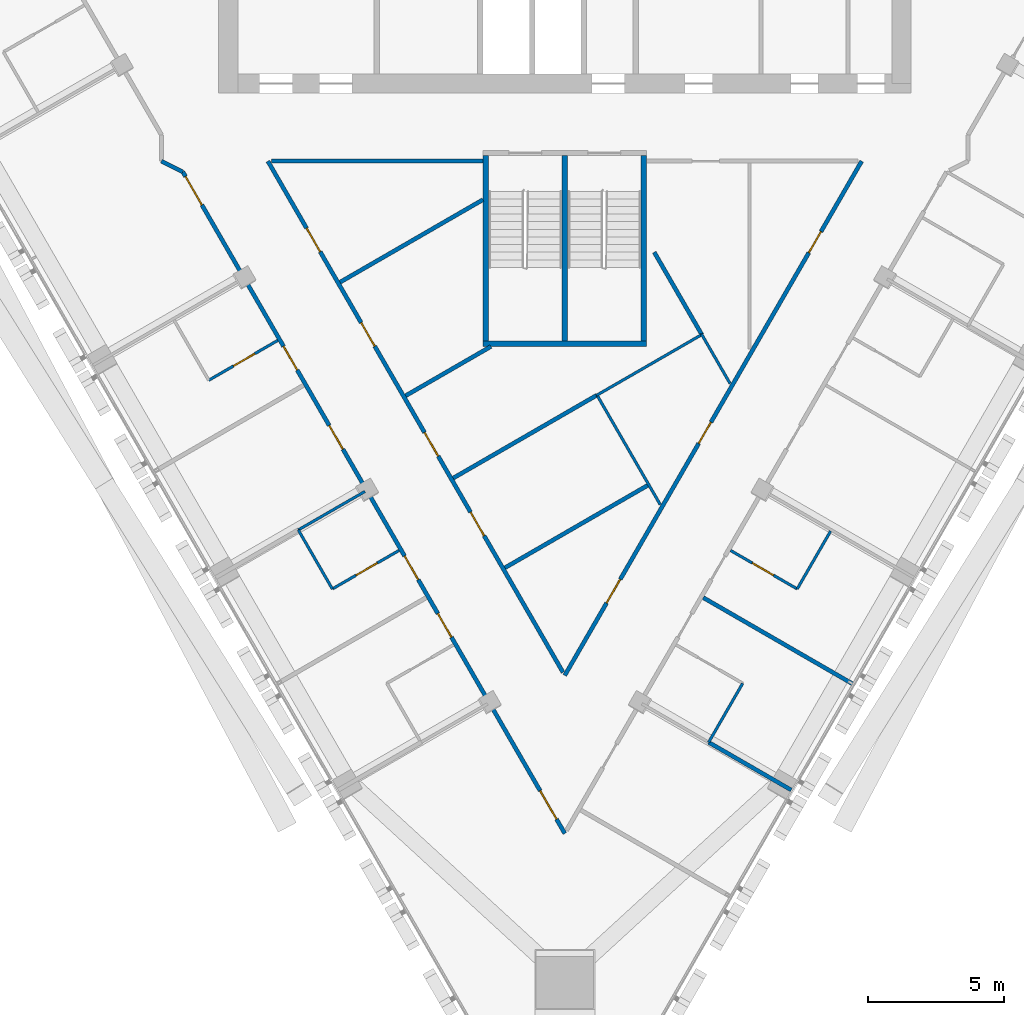
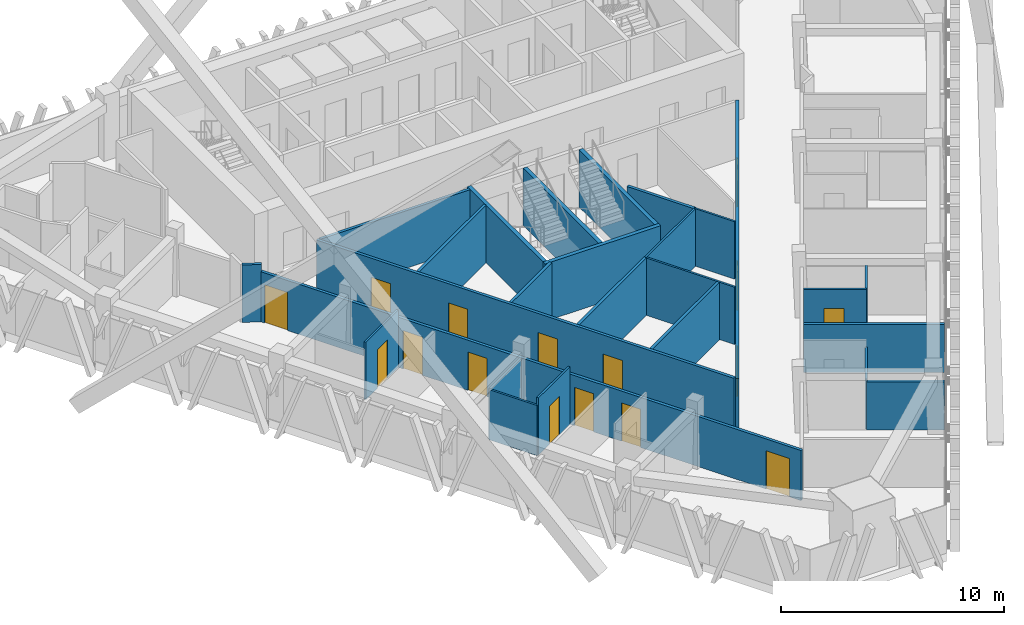
# One storey, part 11 of 18: 26 walls, 16 doors, 16 openings.
"""IFC4 building model written with IfcOpenShell, lengths in metres."""

import ifcopenshell
import ifcopenshell.guid

model = None  # the IFC model being written
_history = None  # IfcOwnerHistory: only IFC2X3 demands one
_inside = {}  # id of a spatial element -> (the spatial element, [elements in it])
_under = {}  # id of a project, library or spatial element -> (it, [spatial elements below it])
_declared = {}  # id of a project -> (the project, [libraries it declares])
_typed = {}  # id of a type object -> (the type object, [elements of that type])
_made_of = {}  # id of a material, layer set ... -> (it, [elements and type objects made of it])


def new_model(schema):
    """Start an empty IFC model of exactly this schema.

    Asked for "IFC4X3", IfcOpenShell would pick the latest addendum, in which some entities
    have other attributes; the version numbers below select the first issue.
    IFC2X3 requires an IfcOwnerHistory on every rooted entity: one is made here for all.
    """
    global model, _history
    if schema == "IFC4X3":
        model = ifcopenshell.file(schema_version=(4, 3, 0, 0))
    else:
        model = ifcopenshell.file(schema=schema)
    _inside.clear()
    _under.clear()
    _declared.clear()
    _typed.clear()
    _made_of.clear()
    _history = None
    if model.schema == "IFC2X3":
        org = make("IfcOrganization", Name="unknown")
        user = make(
            "IfcPersonAndOrganization",
            ThePerson=make("IfcPerson", FamilyName="unknown"),
            TheOrganization=org,
        )
        app = make(
            "IfcApplication",
            ApplicationDeveloper=org,
            Version="unknown",
            ApplicationFullName="unknown",
            ApplicationIdentifier="unknown",
        )
        _history = make(
            "IfcOwnerHistory",
            OwningUser=user,
            OwningApplication=app,
            ChangeAction="ADDED",
            CreationDate=0,
        )
    return model


def make(cls, **values):
    """One entity of the class cls with the attributes given. An attribute that is None is left unset."""
    return model.create_entity(
        cls, **{name: value for name, value in values.items() if value is not None}
    )


def rooted(cls, **values):
    """An entity with a GlobalId (a new one), such as an element, a storey or a relation."""
    return make(cls, GlobalId=ifcopenshell.guid.new(), OwnerHistory=_history, **values)


def si_unit(unit_type, name, prefix=None):
    """IfcSIUnit, for example si_unit("LENGTHUNIT", "METRE", prefix="MILLI")."""
    return make("IfcSIUnit", UnitType=unit_type, Prefix=prefix, Name=name)


def assignment(units):
    """IfcUnitAssignment: the units of a project."""
    return None if units is None else make("IfcUnitAssignment", Units=units)


def point(xyz):
    """IfcCartesianPoint."""
    return None if xyz is None else make("IfcCartesianPoint", Coordinates=xyz)


def direction(xyz):
    """IfcDirection."""
    return None if xyz is None else make("IfcDirection", DirectionRatios=xyz)


def frame(location, z_axis=None, x_axis=None):
    """IfcAxis2Placement3D, a coordinate frame: its origin and axes. An axis left out is left unset."""
    return make(
        "IfcAxis2Placement3D",
        Location=point(location),
        Axis=direction(z_axis),
        RefDirection=direction(x_axis),
    )


def frame_2d(location, x_axis=None):
    """IfcAxis2Placement2D, a coordinate frame in the plane: its origin and x axis."""
    return make(
        "IfcAxis2Placement2D", Location=point(location), RefDirection=direction(x_axis)
    )


def origin():
    """The frame at (0, 0, 0) with its axes left unset."""
    return frame((0.0, 0.0, 0.0))


def place(relative_to, where):
    """IfcLocalPlacement: puts the frame where relative to a parent placement (None: the world)."""
    return make(
        "IfcLocalPlacement", PlacementRelTo=relative_to, RelativePlacement=where
    )


def context(
    kind, dimensions, precision=None, world=None, true_north=None, identifier=None
):
    """IfcGeometricRepresentationContext, for example the 3D "Model" context."""
    return make(
        "IfcGeometricRepresentationContext",
        ContextIdentifier=identifier,
        ContextType=kind,
        CoordinateSpaceDimension=dimensions,
        Precision=precision,
        WorldCoordinateSystem=world,
        TrueNorth=true_north,
    )


def subcontext(parent, identifier, kind, view, scale=None):
    """IfcGeometricRepresentationSubContext, for example "Body" below "Model"."""
    return make(
        "IfcGeometricRepresentationSubContext",
        ContextIdentifier=identifier,
        ContextType=kind,
        ParentContext=parent,
        TargetScale=scale,
        TargetView=view,
    )


def project(units=None, contexts=None):
    """IfcProject with its units and contexts."""
    return rooted(
        "IfcProject",
        Name="project",
        RepresentationContexts=contexts,
        UnitsInContext=assignment(units),
    )


def spatial(cls, under=None, at=None, **own):
    """A site, building, storey or space (cls), placed at a placement, below another one or the project."""
    s = rooted(cls, ObjectPlacement=at, **own)
    if under is not None:
        _under.setdefault(under.id(), (under, []))[1].append(s)
    return s


def profile(cls, at=None, kind="AREA", **sizes):
    """A parametric profile (cls). Its sizes go by their IFC names, for example OverallWidth=200.0."""
    return make(cls, ProfileType=kind, Position=at, **sizes)


def rectangle(**sizes):
    """IfcRectangleProfileDef."""
    return profile("IfcRectangleProfileDef", **sizes)


def extrude(swept, where, along, depth):
    """IfcExtrudedAreaSolid: the profile swept, set in the frame where, extruded along a direction by depth."""
    return make(
        "IfcExtrudedAreaSolid",
        SweptArea=swept,
        Position=where,
        ExtrudedDirection=direction(along),
        Depth=depth,
    )


def shape(context_of_items, identifier, shape_type, items):
    """IfcShapeRepresentation: the items that make up one representation, for example the "Body"."""
    return make(
        "IfcShapeRepresentation",
        ContextOfItems=context_of_items,
        RepresentationIdentifier=identifier,
        RepresentationType=shape_type,
        Items=items,
    )


def material(Name=None, Category=None):
    """IfcMaterial."""
    return make("IfcMaterial", Name=Name, Category=Category)


def layer(
    of_material, thickness, ventilated=None, Name=None, Category=None, Priority=None
):
    """IfcMaterialLayer: one layer of a wall or slab, of a material (None: an air gap)."""
    return make(
        "IfcMaterialLayer",
        Material=of_material,
        LayerThickness=thickness,
        IsVentilated=ventilated,
        Name=Name,
        Category=Category,
        Priority=Priority,
    )


def layer_set(layers, Name=None):
    """IfcMaterialLayerSet."""
    return make("IfcMaterialLayerSet", MaterialLayers=layers, LayerSetName=Name)


def made_of(thing, what):
    """Note that an element or type object is made of a material, layer set ...; save() writes the relation."""
    if what is not None:
        _made_of.setdefault(what.id(), (what, []))[1].append(thing)
    return thing


def type_object(cls, material=None, **own):
    """A type object (cls), such as IfcWallType, which elements share."""
    return made_of(rooted(cls, **own), material)


def element(
    cls,
    number,
    at=None,
    inside=None,
    cuts=None,
    type_object=None,
    material=None,
    context=None,
    identifier="Body",
    shape_type=None,
    held_by="IfcProductDefinitionShape",
    body=None,
    shapes=None,
    **own,
):
    """One element of the class cls, such as IfcWall. Its Tag is "e" and its number.

    at: its placement. inside: the storey or other place that contains it. cuts: it is an
    opening in that element (IfcRelVoidsElement). A single representation is given by context,
    identifier, shape_type and body (its items); several are given by shapes. held_by: the class
    of the entity that holds the representations. save() writes the other relations.
    """
    e = rooted(cls, Tag="e%d" % number, ObjectPlacement=at, **own)
    if body is not None:
        shapes = [shape(context, identifier, shape_type, body)]
    if shapes is not None:
        e.Representation = make(held_by, Representations=shapes)
    if inside is not None:
        _inside.setdefault(inside.id(), (inside, []))[1].append(e)
    if cuts is not None:
        rooted(
            "IfcRelVoidsElement", RelatingBuildingElement=cuts, RelatedOpeningElement=e
        )
    if type_object is not None:
        _typed.setdefault(type_object.id(), (type_object, []))[1].append(e)
    return made_of(e, material)


def fill(opening, filler):
    """IfcRelFillsElement: the door or window that sits in an opening."""
    return rooted(
        "IfcRelFillsElement",
        RelatingOpeningElement=opening,
        RelatedBuildingElement=filler,
    )


def aggregate(whole, parts):
    """IfcRelAggregates: a whole, such as a stair, and the parts it consists of."""
    return rooted("IfcRelAggregates", RelatingObject=whole, RelatedObjects=parts)


def save(model, path):
    """Write the relations noted so far, then the file.

    IfcRelAggregates (storeys below a building ...), IfcRelContainedInSpatialStructure (elements
    in a storey), IfcRelDefinesByType, IfcRelAssociatesMaterial and IfcRelDeclares: one each for
    every whole, place, type object, material and project.
    """
    for whole, parts in _under.values():
        aggregate(whole, parts)
    for where, things in _inside.values():
        rooted(
            "IfcRelContainedInSpatialStructure",
            RelatedElements=things,
            RelatingStructure=where,
        )
    for kind, things in _typed.values():
        rooted("IfcRelDefinesByType", RelatedObjects=things, RelatingType=kind)
    for what, things in _made_of.values():
        rooted("IfcRelAssociatesMaterial", RelatedObjects=things, RelatingMaterial=what)
    for by, libraries in _declared.values():
        rooted("IfcRelDeclares", RelatingContext=by, RelatedDefinitions=libraries)
    model.write(path)


model = new_model("IFC4")

# Units and contexts
model_context = context("Model", 3, precision=1e-05, world=origin(), true_north=direction((0.0, 1.0)))
body_context = subcontext(model_context, "Body", "Model", "MODEL_VIEW")
ifc_project = project(units=[si_unit("LENGTHUNIT", "METRE"), si_unit("AREAUNIT", "SQUARE_METRE"), si_unit("VOLUMEUNIT", "CUBIC_METRE"), si_unit("PLANEANGLEUNIT", "RADIAN"), si_unit("MASSUNIT", "GRAM", prefix="KILO")], contexts=[model_context])

# Site, building, storey
site_placement = place(None, origin())
site = spatial("IfcSite", under=ifc_project, at=site_placement, CompositionType="ELEMENT")
building_placement = place(site_placement, origin())
building = spatial("IfcBuilding", under=site, at=building_placement, Name="Altiplano Prism Tower", CompositionType="ELEMENT")
storey_placement = place(building_placement, frame((0.0, 0.0, 163.800048828125)))
storey = spatial("IfcBuildingStorey", under=building, at=storey_placement, Name="L42", CompositionType="ELEMENT", Elevation=163.800048828125)

# Wall, opening, door
ifc_material_1 = material(Name="Plasterboard on steel stud", Category="steel")
ifc_layer_1 = layer(ifc_material_1, 0.10009765625)
ifc_layer_set_1 = layer_set([ifc_layer_1], Name="Plasterboard on steel stud")
wall_type_1 = type_object("IfcWallType", Name="Partition 100 unit", PredefinedType="PARTITIONING", material=ifc_layer_set_1)
wall_1_placement = place(storey_placement, frame((74.46728515625, 83.622802734375, 0.0), z_axis=(0.0, 0.0, 1.0), x_axis=(-0.86601045545, -0.500025890382, 0.0)))
wall_1 = element("IfcWall", 1, at=wall_1_placement, inside=storey, type_object=wall_type_1, Name="Partition P02 L42 049", PredefinedType="PARTITIONING", context=body_context, shape_type="SweptSolid", body=[
    extrude(rectangle(XDim=2.925048828125, YDim=0.10009765625, at=frame_2d((1.46240234375, 0.0))), origin(), (0.0, 0.0, 1.0), 3.14990234375),
])
opening_1_placement = place(wall_1_placement, frame((0.97509765625, 0.0, 0.0)))
opening_1 = element("IfcOpeningElement", 2, at=opening_1_placement, cuts=wall_1, Name="Opening D1484", PredefinedType="OPENING", context=body_context, shape_type="SweptSolid", body=[
    extrude(rectangle(XDim=0.89990234375, YDim=2.10009765625, at=frame_2d((0.449951171875, 1.050048828125))), frame((0.0, 0.060546875, 0.0), z_axis=(0.0, -1.0, 0.0), x_axis=(1.0, 0.0, 0.0)), (0.0, 0.0, 1.0), 0.12109375),
])
ifc_material_2 = material(Name="Timber", Category="wood")
door_type_1 = type_object("IfcDoorType", Name="Ensuite door 900 x 2100", OperationType="NOTDEFINED", PredefinedType="NOTDEFINED", material=ifc_material_2)
door_1_placement = place(opening_1_placement, origin())
door_1 = element("IfcDoor", 3, at=door_1_placement, inside=storey, type_object=door_type_1, Name="Door D1484", OperationType="SINGLE_SWING_LEFT", OverallHeight=2.10009765625, OverallWidth=0.89990234375, PredefinedType="NOTDEFINED", context=body_context, shape_type="SweptSolid", body=[
    extrude(rectangle(XDim=0.89990234375, YDim=2.10009765625, at=frame_2d((0.449951171875, 1.050048828125))), frame((0.0, 0.02490234375, 0.0), z_axis=(0.0, -1.0, 0.0), x_axis=(1.0, 0.0, 0.0)), (0.0, 0.0, 1.0), 0.050048828125),
])
fill(opening_1, door_1)

wall_2_placement = place(storey_placement, frame((78.917236328125, 75.9150390625, 0.0), z_axis=(0.0, 0.0, 1.0), x_axis=(-0.866048868473, -0.499959355765, 0.0)))
wall_2 = element("IfcWall", 4, at=wall_2_placement, inside=storey, type_object=wall_type_1, Name="Partition P02 L42 054", PredefinedType="PARTITIONING", context=body_context, shape_type="SweptSolid", body=[
    extrude(rectangle(XDim=2.824951171875, YDim=0.10009765625, at=frame_2d((1.41259765625, 0.0))), origin(), (0.0, 0.0, 1.0), 3.14990234375),
])
opening_2_placement = place(wall_2_placement, frame((0.925048828125, 0.0, 0.0)))
opening_2 = element("IfcOpeningElement", 5, at=opening_2_placement, cuts=wall_2, Name="Opening D1487", PredefinedType="OPENING", context=body_context, shape_type="SweptSolid", body=[
    extrude(rectangle(XDim=0.89990234375, YDim=2.10009765625, at=frame_2d((0.449951171875, 1.050048828125))), frame((0.0, 0.060546875, 0.0), z_axis=(0.0, -1.0, 0.0), x_axis=(1.0, 0.0, 0.0)), (0.0, 0.0, 1.0), 0.12109375),
])
door_2_placement = place(opening_2_placement, origin())
door_2 = element("IfcDoor", 6, at=door_2_placement, inside=storey, type_object=door_type_1, Name="Door D1487", OperationType="SINGLE_SWING_LEFT", OverallHeight=2.10009765625, OverallWidth=0.89990234375, PredefinedType="NOTDEFINED", context=body_context, shape_type="SweptSolid", body=[
    extrude(rectangle(XDim=0.89990234375, YDim=2.10009765625, at=frame_2d((0.449951171875, 1.050048828125))), frame((0.0, 0.02490234375, 0.0), z_axis=(0.0, -1.0, 0.0), x_axis=(1.0, 0.0, 0.0)), (0.0, 0.0, 1.0), 0.050048828125),
])
fill(opening_2, door_2)

# Walls
wall_3_placement = place(storey_placement, frame((76.470703125, 74.502685546875, 0.0), z_axis=(0.0, 0.0, 1.0), x_axis=(-0.500004234368, 0.866022959057, 0.0)))
element("IfcWall", 7, at=wall_3_placement, inside=storey, type_object=wall_type_1, Name="Partition P02 L42 055", PredefinedType="PARTITIONING", context=body_context, shape_type="SweptSolid", body=[
    extrude(rectangle(XDim=2.5, YDim=0.10009765625, at=frame_2d((1.25, 0.0))), origin(), (0.0, 0.0, 1.0), 2.75),
])
wall_4_placement = place(storey_placement, frame((91.529296875, 71.03857421875, 0.0), z_axis=(0.0, 0.0, 1.0), x_axis=(-0.499961950354, -0.866047370643, 0.0)))
element("IfcWall", 8, at=wall_4_placement, inside=storey, type_object=wall_type_1, Name="Partition P02 L42 065", PredefinedType="PARTITIONING", context=body_context, shape_type="SweptSolid", body=[
    extrude(rectangle(XDim=2.500244140625, YDim=0.10009765625, at=frame_2d((1.25, 0.0))), origin(), (0.0, 0.0, 1.0), 2.75),
])
wall_5_placement = place(storey_placement, frame((94.754150390625, 76.624267578125, 0.0), z_axis=(0.0, 0.0, 1.0), x_axis=(-0.499987006516, -0.866032905446, 0.0)))
element("IfcWall", 9, at=wall_5_placement, inside=storey, type_object=wall_type_1, Name="Partition P02 L42 067", PredefinedType="PARTITIONING", context=body_context, shape_type="SweptSolid", body=[
    extrude(rectangle(XDim=2.44970703125, YDim=0.10009765625, at=frame_2d((1.224853515625, 0.0))), origin(), (0.0, 0.0, 1.0), 2.75),
])

# Wall, opening, door
wall_6_placement = place(storey_placement, frame((93.529296875, 74.502685546875, 0.0), z_axis=(0.0, 0.0, 1.0), x_axis=(-0.866048868473, 0.499959355765, 0.0)))
wall_6 = element("IfcWall", 10, at=wall_6_placement, inside=storey, type_object=wall_type_1, Name="Partition P02 L42 068", PredefinedType="PARTITIONING", context=body_context, shape_type="SweptSolid", body=[
    extrude(rectangle(XDim=2.824951171875, YDim=0.10009765625, at=frame_2d((1.41259765625, 0.0))), origin(), (0.0, 0.0, 1.0), 3.14990234375),
])
opening_3_placement = place(wall_6_placement, frame((1.0, 0.0, 0.0)))
opening_3 = element("IfcOpeningElement", 11, at=opening_3_placement, cuts=wall_6, Name="Opening D1495", PredefinedType="OPENING", context=body_context, shape_type="SweptSolid", body=[
    extrude(rectangle(XDim=0.89990234375, YDim=2.10009765625, at=frame_2d((0.449951171875, 1.050048828125))), frame((0.0, 0.060546875, 0.0), z_axis=(0.0, -1.0, 0.0), x_axis=(1.0, 0.0, 0.0)), (0.0, 0.0, 1.0), 0.12109375),
])
door_3_placement = place(opening_3_placement, origin())
door_3 = element("IfcDoor", 12, at=door_3_placement, inside=storey, type_object=door_type_1, Name="Door D1495", OperationType="SINGLE_SWING_LEFT", OverallHeight=2.10009765625, OverallWidth=0.89990234375, PredefinedType="NOTDEFINED", context=body_context, shape_type="SweptSolid", body=[
    extrude(rectangle(XDim=0.89990234375, YDim=2.10009765625, at=frame_2d((0.449951171875, 1.050048828125))), frame((0.0, 0.02490234375, 0.0), z_axis=(0.0, -1.0, 0.0), x_axis=(1.0, 0.0, 0.0)), (0.0, 0.0, 1.0), 0.050048828125),
])
fill(opening_3, door_3)

# Walls
ifc_layer_2 = layer(ifc_material_1, 0.10009765625)
ifc_layer_set_2 = layer_set([ifc_layer_2], Name="Plasterboard on steel stud")
wall_type_2 = type_object("IfcWallType", Name="Partition 100 wet", PredefinedType="PARTITIONING", material=ifc_layer_set_2)
wall_7_placement = place(storey_placement, frame((91.067138671875, 82.0380859375, 0.0), z_axis=(0.0, 0.0, 1.0), x_axis=(-0.500058390236, 0.865991689541, 0.0)))
element("IfcWall", 13, at=wall_7_placement, inside=storey, type_object=wall_type_2, Name="Partition P03 L42 036", PredefinedType="PARTITIONING", context=body_context, shape_type="SweptSolid", body=[
    extrude(rectangle(XDim=2.096923828125, YDim=0.10009765625, at=frame_2d((1.04833984375, 0.0))), origin(), (0.0, 0.0, 1.0), 3.14990234375),
])
wall_8_placement = place(storey_placement, frame((90.028564453125, 83.836669921875, 0.0), z_axis=(0.0, 0.0, 1.0), x_axis=(-0.866011499294, -0.50002408251, 0.0)))
element("IfcWall", 14, at=wall_8_placement, inside=storey, type_object=wall_type_2, Name="Partition P03 L42 037", PredefinedType="PARTITIONING", context=body_context, shape_type="SweptSolid", body=[
    extrude(rectangle(XDim=4.460693359375, YDim=0.10009765625, at=frame_2d((2.23046875, 0.0))), origin(), (0.0, 0.0, 1.0), 3.14990234375),
])
wall_9_placement = place(storey_placement, frame((86.182861328125, 81.6162109375, 0.0), z_axis=(0.0, 0.0, 1.0), x_axis=(0.500009360108, -0.866019999656, 0.0)))
element("IfcWall", 15, at=wall_9_placement, inside=storey, type_object=wall_type_2, Name="Partition P03 L42 038", PredefinedType="PARTITIONING", context=body_context, shape_type="SweptSolid", body=[
    extrude(rectangle(XDim=4.640625, YDim=0.10009765625, at=frame_2d((2.3203125, 0.0))), origin(), (0.0, 0.0, 1.0), 3.14990234375),
])
wall_10_placement = place(storey_placement, frame((75.220703125, 76.667724609375, 0.0), z_axis=(0.0, 0.0, 1.0), x_axis=(0.866048868473, 0.499959355765, 0.0)))
element("IfcWall", 16, at=wall_10_placement, inside=storey, type_object=wall_type_2, Name="Partition P03 L42 053", PredefinedType="PARTITIONING", context=body_context, shape_type="SweptSolid", body=[
    extrude(rectangle(XDim=2.824951171875, YDim=0.10009765625, at=frame_2d((1.41259765625, 0.0))), origin(), (0.0, 0.0, 1.0), 2.75),
])

# Wall, openings, doors
ifc_layer_3 = layer(ifc_material_1, 0.14990234375)
ifc_layer_set_3 = layer_set([ifc_layer_3], Name="Plasterboard on steel stud")
wall_type_3 = type_object("IfcWallType", Name="Partition 150 corridor", PredefinedType="PARTITIONING", material=ifc_layer_set_3)
wall_11_placement = place(storey_placement, frame((95.894775390625, 90.199951171875, 0.0), z_axis=(0.0, 0.0, 1.0), x_axis=(-0.499998870956, -0.866026055637, 0.0)))
wall_11 = element("IfcWall", 17, at=wall_11_placement, inside=storey, type_object=wall_type_3, Name="Partition P06 L42 002", PredefinedType="PARTITIONING", context=body_context, shape_type="SweptSolid", body=[
    extrude(rectangle(XDim=21.78955078125, YDim=0.14990234375, at=frame_2d((10.894775390625, 0.0))), origin(), (0.0, 0.0, 1.0), 3.14990234375),
])
opening_4_placement = place(wall_11_placement, frame((2.98193359375, 0.0, 0.0)))
opening_4 = element("IfcOpeningElement", 18, at=opening_4_placement, cuts=wall_11, Name="Opening D1473", PredefinedType="OPENING", context=body_context, shape_type="SweptSolid", body=[
    extrude(rectangle(XDim=0.89990234375, YDim=2.10009765625, at=frame_2d((0.449951171875, 1.050048828125))), frame((0.0, 0.08544921875, 0.0), z_axis=(0.0, -1.0, 0.0), x_axis=(1.0, 0.0, 0.0)), (0.0, 0.0, 1.0), 0.1708984375),
])
opening_5_placement = place(wall_11_placement, frame((11.06103515625, 0.0, 0.0)))
opening_5 = element("IfcOpeningElement", 19, at=opening_5_placement, cuts=wall_11, Name="Opening D1474", PredefinedType="OPENING", context=body_context, shape_type="SweptSolid", body=[
    extrude(rectangle(XDim=0.89990234375, YDim=2.10009765625, at=frame_2d((0.449951171875, 1.050048828125))), frame((0.0, 0.08544921875, 0.0), z_axis=(0.0, -1.0, 0.0), x_axis=(1.0, 0.0, 0.0)), (0.0, 0.0, 1.0), 0.1708984375),
])
opening_6_placement = place(wall_11_placement, frame((17.719970703125, 0.0, 0.0)))
opening_6 = element("IfcOpeningElement", 20, at=opening_6_placement, cuts=wall_11, Name="Opening D1475", PredefinedType="OPENING", context=body_context, shape_type="SweptSolid", body=[
    extrude(rectangle(XDim=1.0, YDim=2.10009765625, at=frame_2d((0.5, 1.050048828125))), frame((0.0, 0.08544921875, 0.0), z_axis=(0.0, -1.0, 0.0), x_axis=(1.0, 0.0, 0.0)), (0.0, 0.0, 1.0), 0.1708984375),
])
door_type_2 = type_object("IfcDoorType", Name="Store door 1000 x 2100", OperationType="NOTDEFINED", PredefinedType="NOTDEFINED", material=ifc_material_2)
door_4_placement = place(opening_6_placement, origin())
door_4 = element("IfcDoor", 21, at=door_4_placement, inside=storey, type_object=door_type_2, Name="Door D1475", OperationType="SINGLE_SWING_RIGHT", OverallHeight=2.10009765625, OverallWidth=1.0, PredefinedType="NOTDEFINED", context=body_context, shape_type="SweptSolid", body=[
    extrude(rectangle(XDim=1.0, YDim=2.10009765625, at=frame_2d((0.5, 1.050048828125))), frame((0.0, 0.02490234375, 0.0), z_axis=(0.0, -1.0, 0.0), x_axis=(1.0, 0.0, 0.0)), (0.0, 0.0, 1.0), 0.050048828125),
])
fill(opening_6, door_4)
door_type_3 = type_object("IfcDoorType", Name="Toilet door 900 x 2100", OperationType="NOTDEFINED", PredefinedType="NOTDEFINED", material=ifc_material_2)
door_5_placement = place(opening_4_placement, origin())
door_5 = element("IfcDoor", 22, at=door_5_placement, inside=storey, type_object=door_type_3, Name="Door D1473", OperationType="SINGLE_SWING_LEFT", OverallHeight=2.10009765625, OverallWidth=0.89990234375, PredefinedType="NOTDEFINED", context=body_context, shape_type="SweptSolid", body=[
    extrude(rectangle(XDim=0.89990234375, YDim=2.10009765625, at=frame_2d((0.449951171875, 1.050048828125))), frame((0.0, 0.02490234375, 0.0), z_axis=(0.0, -1.0, 0.0), x_axis=(1.0, 0.0, 0.0)), (0.0, 0.0, 1.0), 0.050048828125),
])
fill(opening_4, door_5)
door_6_placement = place(opening_5_placement, origin())
door_6 = element("IfcDoor", 23, at=door_6_placement, inside=storey, type_object=door_type_3, Name="Door D1474", OperationType="SINGLE_SWING_RIGHT", OverallHeight=2.10009765625, OverallWidth=0.89990234375, PredefinedType="NOTDEFINED", context=body_context, shape_type="SweptSolid", body=[
    extrude(rectangle(XDim=0.89990234375, YDim=2.10009765625, at=frame_2d((0.449951171875, 1.050048828125))), frame((0.0, 0.02490234375, 0.0), z_axis=(0.0, -1.0, 0.0), x_axis=(1.0, 0.0, 0.0)), (0.0, 0.0, 1.0), 0.050048828125),
])
fill(opening_5, door_6)

wall_12_placement = place(storey_placement, frame((84.93505859375, 71.44189453125, 0.0), z_axis=(0.0, 0.0, 1.0), x_axis=(-0.499995323145, 0.866028103951, 0.0)))
wall_12 = element("IfcWall", 24, at=wall_12_placement, inside=storey, type_object=wall_type_3, Name="Partition P06 L42 003", PredefinedType="PARTITIONING", context=body_context, shape_type="SweptSolid", body=[
    extrude(rectangle(XDim=21.659912109375, YDim=0.14990234375, at=frame_2d((10.830078125, 0.0))), origin(), (0.0, 0.0, 1.0), 3.14990234375),
])
opening_7_placement = place(wall_12_placement, frame((17.819091796875, 0.0, 0.0)))
opening_7 = element("IfcOpeningElement", 25, at=opening_7_placement, cuts=wall_12, Name="Opening D1476", PredefinedType="OPENING", context=body_context, shape_type="SweptSolid", body=[
    extrude(rectangle(XDim=1.0, YDim=2.10009765625, at=frame_2d((0.5, 1.050048828125))), frame((0.0, 0.08544921875, 0.0), z_axis=(0.0, -1.0, 0.0), x_axis=(1.0, 0.0, 0.0)), (0.0, 0.0, 1.0), 0.1708984375),
])
opening_8_placement = place(wall_12_placement, frame((13.81689453125, 0.0, 0.0)))
opening_8 = element("IfcOpeningElement", 26, at=opening_8_placement, cuts=wall_12, Name="Opening D1478", PredefinedType="OPENING", context=body_context, shape_type="SweptSolid", body=[
    extrude(rectangle(XDim=1.0, YDim=2.10009765625, at=frame_2d((0.5, 1.050048828125))), frame((0.0, 0.08544921875, 0.0), z_axis=(0.0, -1.0, 0.0), x_axis=(1.0, 0.0, 0.0)), (0.0, 0.0, 1.0), 0.1708984375),
])
opening_9_placement = place(wall_12_placement, frame((9.162109375, 0.0, 0.0)))
opening_9 = element("IfcOpeningElement", 27, at=opening_9_placement, cuts=wall_12, Name="Opening D1505", PredefinedType="OPENING", context=body_context, shape_type="SweptSolid", body=[
    extrude(rectangle(XDim=1.0, YDim=2.10009765625, at=frame_2d((0.5, 1.050048828125))), frame((0.0, 0.08544921875, 0.0), z_axis=(0.0, -1.0, 0.0), x_axis=(1.0, 0.0, 0.0)), (0.0, 0.0, 1.0), 0.1708984375),
])
opening_10_placement = place(wall_12_placement, frame((5.7880859375, 0.0, 0.0)))
opening_10 = element("IfcOpeningElement", 28, at=opening_10_placement, cuts=wall_12, Name="Opening D1506", PredefinedType="OPENING", context=body_context, shape_type="SweptSolid", body=[
    extrude(rectangle(XDim=1.0, YDim=2.10009765625, at=frame_2d((0.5, 1.050048828125))), frame((0.0, 0.08544921875, 0.0), z_axis=(0.0, -1.0, 0.0), x_axis=(1.0, 0.0, 0.0)), (0.0, 0.0, 1.0), 0.1708984375),
])
door_type_4 = type_object("IfcDoorType", Name="Room door 1000 x 2100", OperationType="NOTDEFINED", PredefinedType="NOTDEFINED", material=ifc_material_2)
door_7_placement = place(opening_9_placement, origin())
door_7 = element("IfcDoor", 29, at=door_7_placement, inside=storey, type_object=door_type_4, Name="Door D1505", OperationType="SINGLE_SWING_LEFT", OverallHeight=2.10009765625, OverallWidth=1.0, PredefinedType="NOTDEFINED", context=body_context, shape_type="SweptSolid", body=[
    extrude(rectangle(XDim=1.0, YDim=2.10009765625, at=frame_2d((0.5, 1.050048828125))), frame((0.0, 0.02490234375, 0.0), z_axis=(0.0, -1.0, 0.0), x_axis=(1.0, 0.0, 0.0)), (0.0, 0.0, 1.0), 0.050048828125),
])
fill(opening_9, door_7)
door_8_placement = place(opening_10_placement, origin())
door_8 = element("IfcDoor", 30, at=door_8_placement, inside=storey, type_object=door_type_4, Name="Door D1506", OperationType="SINGLE_SWING_RIGHT", OverallHeight=2.10009765625, OverallWidth=1.0, PredefinedType="NOTDEFINED", context=body_context, shape_type="SweptSolid", body=[
    extrude(rectangle(XDim=1.0, YDim=2.10009765625, at=frame_2d((0.5, 1.050048828125))), frame((0.0, 0.02490234375, 0.0), z_axis=(0.0, -1.0, 0.0), x_axis=(1.0, 0.0, 0.0)), (0.0, 0.0, 1.0), 0.050048828125),
])
fill(opening_10, door_8)
door_9_placement = place(opening_7_placement, origin())
door_9 = element("IfcDoor", 31, at=door_9_placement, inside=storey, type_object=door_type_2, Name="Door D1476", OperationType="SINGLE_SWING_LEFT", OverallHeight=2.10009765625, OverallWidth=1.0, PredefinedType="NOTDEFINED", context=body_context, shape_type="SweptSolid", body=[
    extrude(rectangle(XDim=1.0, YDim=2.10009765625, at=frame_2d((0.5, 1.050048828125))), frame((0.0, 0.02490234375, 0.0), z_axis=(0.0, -1.0, 0.0), x_axis=(1.0, 0.0, 0.0)), (0.0, 0.0, 1.0), 0.050048828125),
])
fill(opening_7, door_9)
door_10_placement = place(opening_8_placement, origin())
door_10 = element("IfcDoor", 32, at=door_10_placement, inside=storey, type_object=door_type_2, Name="Door D1478", OperationType="SINGLE_SWING_RIGHT", OverallHeight=2.10009765625, OverallWidth=1.0, PredefinedType="NOTDEFINED", context=body_context, shape_type="SweptSolid", body=[
    extrude(rectangle(XDim=1.0, YDim=2.10009765625, at=frame_2d((0.5, 1.050048828125))), frame((0.0, 0.02490234375, 0.0), z_axis=(0.0, -1.0, 0.0), x_axis=(1.0, 0.0, 0.0)), (0.0, 0.0, 1.0), 0.050048828125),
])
fill(opening_8, door_10)

# Walls
wall_13_placement = place(storey_placement, frame((74.235107421875, 90.199951171875, 0.0), z_axis=(0.0, 0.0, 1.0), x_axis=(1.0, 0.0, 0.0)))
element("IfcWall", 33, at=wall_13_placement, inside=storey, type_object=wall_type_3, Name="Partition P06 L42 004", PredefinedType="PARTITIONING", context=body_context, shape_type="SweptSolid", body=[
    extrude(rectangle(XDim=7.764892578125, YDim=0.14990234375, at=frame_2d((3.88232421875, 0.0))), origin(), (0.0, 0.0, 1.0), 3.14990234375),
])
wall_14_placement = place(storey_placement, frame((70.199951171875, 90.199951171875, 0.0), z_axis=(0.0, 0.0, 1.0), x_axis=(0.89453884087, -0.44699022604, 0.0)))
element("IfcWall", 34, at=wall_14_placement, inside=storey, type_object=wall_type_3, Name="Partition P06 L42 011", PredefinedType="PARTITIONING", context=body_context, shape_type="SweptSolid", body=[
    extrude(rectangle(XDim=0.87451171875, YDim=0.14990234375, at=frame_2d((0.437255859375, 0.0))), origin(), (0.0, 0.0, 1.0), 3.14990234375),
])

# Wall, openings, doors
wall_15_placement = place(storey_placement, frame((70.982177734375, 89.80908203125, 0.0), z_axis=(0.0, 0.0, 1.0), x_axis=(0.500000607917, -0.866025052803, 0.0)))
wall_15 = element("IfcWall", 35, at=wall_15_placement, inside=storey, type_object=wall_type_3, Name="Partition P06 L42 012", PredefinedType="PARTITIONING", context=body_context, shape_type="SweptSolid", body=[
    extrude(rectangle(XDim=28.03564453125, YDim=0.14990234375, at=frame_2d((14.017822265625, 0.0))), origin(), (0.0, 0.0, 1.0), 2.75),
])
opening_11_placement = place(wall_15_placement, frame((0.199951171875, 0.0, 0.0)))
opening_11 = element("IfcOpeningElement", 36, at=opening_11_placement, cuts=wall_15, Name="Opening D1482", PredefinedType="OPENING", context=body_context, shape_type="SweptSolid", body=[
    extrude(rectangle(XDim=1.199951171875, YDim=2.10009765625, at=frame_2d((0.60009765625, 1.050048828125))), frame((0.0, 0.08544921875, 0.0), z_axis=(0.0, -1.0, 0.0), x_axis=(1.0, 0.0, 0.0)), (0.0, 0.0, 1.0), 0.1708984375),
])
opening_12_placement = place(wall_15_placement, frame((7.39501953125, 0.0, 0.0)))
opening_12 = element("IfcOpeningElement", 37, at=opening_12_placement, cuts=wall_15, Name="Opening D1483", PredefinedType="OPENING", context=body_context, shape_type="SweptSolid", body=[
    extrude(rectangle(XDim=1.0, YDim=2.10009765625, at=frame_2d((0.5, 1.050048828125))), frame((0.0, 0.08544921875, 0.0), z_axis=(0.0, -1.0, 0.0), x_axis=(1.0, 0.0, 0.0)), (0.0, 0.0, 1.0), 0.1708984375),
])
opening_13_placement = place(wall_15_placement, frame((10.75, 0.0, 0.0)))
opening_13 = element("IfcOpeningElement", 38, at=opening_13_placement, cuts=wall_15, Name="Opening D1485", PredefinedType="OPENING", context=body_context, shape_type="SweptSolid", body=[
    extrude(rectangle(XDim=1.0, YDim=2.10009765625, at=frame_2d((0.5, 1.050048828125))), frame((0.0, 0.08544921875, 0.0), z_axis=(0.0, -1.0, 0.0), x_axis=(1.0, 0.0, 0.0)), (0.0, 0.0, 1.0), 0.1708984375),
])
opening_14_placement = place(wall_15_placement, frame((16.280029296875, 0.0, 0.0)))
opening_14 = element("IfcOpeningElement", 39, at=opening_14_placement, cuts=wall_15, Name="Opening D1486", PredefinedType="OPENING", context=body_context, shape_type="SweptSolid", body=[
    extrude(rectangle(XDim=1.0, YDim=2.10009765625, at=frame_2d((0.5, 1.050048828125))), frame((0.0, 0.08544921875, 0.0), z_axis=(0.0, -1.0, 0.0), x_axis=(1.0, 0.0, 0.0)), (0.0, 0.0, 1.0), 0.1708984375),
])
opening_15_placement = place(wall_15_placement, frame((18.719970703125, 0.0, 0.0)))
opening_15 = element("IfcOpeningElement", 40, at=opening_15_placement, cuts=wall_15, Name="Opening D1488", PredefinedType="OPENING", context=body_context, shape_type="SweptSolid", body=[
    extrude(rectangle(XDim=1.0, YDim=2.10009765625, at=frame_2d((0.5, 1.050048828125))), frame((0.0, 0.08544921875, 0.0), z_axis=(0.0, -1.0, 0.0), x_axis=(1.0, 0.0, 0.0)), (0.0, 0.0, 1.0), 0.1708984375),
])
opening_16_placement = place(wall_15_placement, frame((26.22802734375, 0.0, 0.0)))
opening_16 = element("IfcOpeningElement", 41, at=opening_16_placement, cuts=wall_15, Name="Opening D1490", PredefinedType="OPENING", context=body_context, shape_type="SweptSolid", body=[
    extrude(rectangle(XDim=1.199951171875, YDim=2.10009765625, at=frame_2d((0.60009765625, 1.050048828125))), frame((0.0, 0.08544921875, 0.0), z_axis=(0.0, -1.0, 0.0), x_axis=(1.0, 0.0, 0.0)), (0.0, 0.0, 1.0), 0.1708984375),
])
door_type_5 = type_object("IfcDoorType", Name="Bedroom entrance door 1000 x 2100", OperationType="NOTDEFINED", PredefinedType="NOTDEFINED", material=ifc_material_2)
door_11_placement = place(opening_12_placement, origin())
door_11 = element("IfcDoor", 42, at=door_11_placement, inside=storey, type_object=door_type_5, Name="Door D1483", OperationType="SINGLE_SWING_LEFT", OverallHeight=2.10009765625, OverallWidth=1.0, PredefinedType="NOTDEFINED", context=body_context, shape_type="SweptSolid", body=[
    extrude(rectangle(XDim=1.0, YDim=2.10009765625, at=frame_2d((0.5, 1.050048828125))), frame((0.0, 0.02490234375, 0.0), z_axis=(0.0, -1.0, 0.0), x_axis=(1.0, 0.0, 0.0)), (0.0, 0.0, 1.0), 0.050048828125),
])
fill(opening_12, door_11)
door_12_placement = place(opening_14_placement, origin())
door_12 = element("IfcDoor", 43, at=door_12_placement, inside=storey, type_object=door_type_5, Name="Door D1486", OperationType="SINGLE_SWING_RIGHT", OverallHeight=2.10009765625, OverallWidth=1.0, PredefinedType="NOTDEFINED", context=body_context, shape_type="SweptSolid", body=[
    extrude(rectangle(XDim=1.0, YDim=2.10009765625, at=frame_2d((0.5, 1.050048828125))), frame((0.0, 0.02490234375, 0.0), z_axis=(0.0, -1.0, 0.0), x_axis=(1.0, 0.0, 0.0)), (0.0, 0.0, 1.0), 0.050048828125),
])
fill(opening_14, door_12)
door_13_placement = place(opening_15_placement, origin())
door_13 = element("IfcDoor", 44, at=door_13_placement, inside=storey, type_object=door_type_5, Name="Door D1488", OperationType="SINGLE_SWING_RIGHT", OverallHeight=2.10009765625, OverallWidth=1.0, PredefinedType="NOTDEFINED", context=body_context, shape_type="SweptSolid", body=[
    extrude(rectangle(XDim=1.0, YDim=2.10009765625, at=frame_2d((0.5, 1.050048828125))), frame((0.0, 0.02490234375, 0.0), z_axis=(0.0, -1.0, 0.0), x_axis=(1.0, 0.0, 0.0)), (0.0, 0.0, 1.0), 0.050048828125),
])
fill(opening_15, door_13)
door_14_placement = place(opening_13_placement, origin())
door_14 = element("IfcDoor", 45, at=door_14_placement, inside=storey, type_object=door_type_4, Name="Door D1485", OperationType="SINGLE_SWING_LEFT", OverallHeight=2.10009765625, OverallWidth=1.0, PredefinedType="NOTDEFINED", context=body_context, shape_type="SweptSolid", body=[
    extrude(rectangle(XDim=1.0, YDim=2.10009765625, at=frame_2d((0.5, 1.050048828125))), frame((0.0, 0.02490234375, 0.0), z_axis=(0.0, -1.0, 0.0), x_axis=(1.0, 0.0, 0.0)), (0.0, 0.0, 1.0), 0.050048828125),
])
fill(opening_13, door_14)
door_type_6 = type_object("IfcDoorType", Name="Shared room door 1200 x 2100", OperationType="NOTDEFINED", PredefinedType="NOTDEFINED", material=ifc_material_2)
door_15_placement = place(opening_11_placement, origin())
door_15 = element("IfcDoor", 46, at=door_15_placement, inside=storey, type_object=door_type_6, Name="Door D1482", OperationType="SINGLE_SWING_LEFT", OverallHeight=2.10009765625, OverallWidth=1.199951171875, PredefinedType="NOTDEFINED", context=body_context, shape_type="SweptSolid", body=[
    extrude(rectangle(XDim=1.199951171875, YDim=2.10009765625, at=frame_2d((0.60009765625, 1.050048828125))), frame((0.0, 0.02490234375, 0.0), z_axis=(0.0, -1.0, 0.0), x_axis=(1.0, 0.0, 0.0)), (0.0, 0.0, 1.0), 0.050048828125),
])
fill(opening_11, door_15)
door_16_placement = place(opening_16_placement, origin())
door_16 = element("IfcDoor", 47, at=door_16_placement, inside=storey, type_object=door_type_6, Name="Door D1490", OperationType="SINGLE_SWING_RIGHT", OverallHeight=2.10009765625, OverallWidth=1.199951171875, PredefinedType="NOTDEFINED", context=body_context, shape_type="SweptSolid", body=[
    extrude(rectangle(XDim=1.199951171875, YDim=2.10009765625, at=frame_2d((0.60009765625, 1.050048828125))), frame((0.0, 0.02490234375, 0.0), z_axis=(0.0, -1.0, 0.0), x_axis=(1.0, 0.0, 0.0)), (0.0, 0.0, 1.0), 0.050048828125),
])
fill(opening_16, door_16)

# Walls
ifc_layer_4 = layer(ifc_material_1, 0.14990234375)
ifc_layer_set_4 = layer_set([ifc_layer_4], Name="Plasterboard on steel stud")
wall_type_4 = type_object("IfcWallType", Name="Partition 150 party", PredefinedType="PARTITIONING", material=ifc_layer_set_4)
wall_16_placement = place(storey_placement, frame((88.0390625, 78.301513671875, 0.0), z_axis=(0.0, 0.0, 1.0), x_axis=(-0.866026809777, -0.499997564742, 0.0)))
element("IfcWall", 48, at=wall_16_placement, inside=storey, type_object=wall_type_4, Name="Partition P01 L42 039", PredefinedType="PARTITIONING", context=body_context, shape_type="SweptSolid", body=[
    extrude(rectangle(XDim=6.04296875, YDim=0.14990234375, at=frame_2d((3.021484375, 0.0))), origin(), (0.0, 0.0, 1.0), 3.14990234375),
])
wall_17_placement = place(storey_placement, frame((76.7548828125, 85.76025390625, 0.0), z_axis=(0.0, 0.0, 1.0), x_axis=(0.866021793822, 0.500006252586, 0.0)))
element("IfcWall", 49, at=wall_17_placement, inside=storey, type_object=wall_type_4, Name="Partition P01 L42 040", PredefinedType="PARTITIONING", context=body_context, shape_type="SweptSolid", body=[
    extrude(rectangle(XDim=6.056640625, YDim=0.14990234375, at=frame_2d((3.0283203125, 0.0))), origin(), (0.0, 0.0, 1.0), 3.14990234375),
])
wall_18_placement = place(storey_placement, frame((88.282958984375, 86.8603515625, 0.0), z_axis=(0.0, 0.0, 1.0), x_axis=(0.499974664501, -0.866040030748, 0.0)))
element("IfcWall", 50, at=wall_18_placement, inside=storey, type_object=wall_type_4, Name="Partition P01 L42 041", PredefinedType="PARTITIONING", context=body_context, shape_type="SweptSolid", body=[
    extrude(rectangle(XDim=3.491455078125, YDim=0.14990234375, at=frame_2d((1.74560546875, 0.0))), origin(), (0.0, 0.0, 1.0), 3.14990234375),
])
wall_19_placement = place(storey_placement, frame((79.16064453125, 81.593505859375, 0.0), z_axis=(0.0, 0.0, 1.0), x_axis=(0.866017903742, 0.500012990229, 0.0)))
element("IfcWall", 51, at=wall_19_placement, inside=storey, type_object=wall_type_4, Name="Partition P01 L42 042", PredefinedType="PARTITIONING", context=body_context, shape_type="SweptSolid", body=[
    extrude(rectangle(XDim=3.61279296875, YDim=0.14990234375, at=frame_2d((1.806396484375, 0.0))), origin(), (0.0, 0.0, 1.0), 3.14990234375),
])
wall_20_placement = place(storey_placement, frame((93.310302734375, 67.123291015625, 0.0), z_axis=(0.0, 0.0, 1.0), x_axis=(-0.866019471182, 0.500010275428, 0.0)))
element("IfcWall", 52, at=wall_20_placement, inside=storey, type_object=wall_type_4, Name="Partition P01 L42 062", PredefinedType="PARTITIONING", context=body_context, shape_type="SweptSolid", body=[
    extrude(rectangle(XDim=3.5, YDim=0.14990234375, at=frame_2d((1.75, 0.0))), origin(), (0.0, 0.0, 1.0), 2.64990234375),
])
wall_21_placement = place(storey_placement, frame((95.577880859375, 71.010498046875, 0.0), z_axis=(0.0, 0.0, 1.0), x_axis=(-0.866025401434, 0.500000004071, 0.0)))
element("IfcWall", 53, at=wall_21_placement, inside=storey, type_object=wall_type_4, Name="Partition P01 L42 066", PredefinedType="PARTITIONING", context=body_context, shape_type="SweptSolid", body=[
    extrude(rectangle(XDim=6.34521484375, YDim=0.14990234375, at=frame_2d((3.172607421875, 0.0))), origin(), (0.0, 0.0, 1.0), 2.64990234375),
])
wall_22_placement = place(storey_placement, frame((80.906494140625, 78.56982421875, 0.0), z_axis=(0.0, 0.0, 1.0), x_axis=(0.866020094525, 0.500009195793, 0.0)))
element("IfcWall", 54, at=wall_22_placement, inside=storey, type_object=wall_type_4, Name="Partition P01 L42 080", PredefinedType="PARTITIONING", context=body_context, shape_type="SweptSolid", body=[
    extrude(rectangle(XDim=6.0927734375, YDim=0.14990234375, at=frame_2d((3.04638671875, 0.0))), origin(), (0.0, 0.0, 1.0), 3.14990234375),
])
ifc_material_3 = material(Name="Concrete C60/75", Category="concrete")
ifc_layer_5 = layer(ifc_material_3, 0.199951171875)
ifc_layer_set_5 = layer_set([ifc_layer_5], Name="Concrete C60/75")
wall_type_5 = type_object("IfcWallType", Name="Stair wall 200", PredefinedType="SOLIDWALL", material=ifc_layer_set_5)
wall_23_placement = place(storey_placement, frame((82.0, 83.5, 0.0), z_axis=(0.0, 0.0, 1.0), x_axis=(1.0, 0.0, 0.0)))
element("IfcWall", 55, at=wall_23_placement, inside=storey, type_object=wall_type_5, Name="Stair 3 wall south L42", PredefinedType="SOLIDWALL", context=body_context, shape_type="SweptSolid", body=[
    extrude(rectangle(XDim=6.0, YDim=0.199951171875, at=frame_2d((3.0, 0.0))), origin(), (0.0, 0.0, 1.0), 3.14990234375),
])
for number, where, z_axis, x_axis, name in (
    (56, (82.10009765625, 83.60009765625, 0.0), (0.0, 0.0, 1.0), (0.0, 1.0, 0.0), "Stair 3 wall west L42"),
    (57, (87.89990234375, 83.60009765625, 0.0), (0.0, 0.0, 1.0), (0.0, 1.0, 0.0), "Stair 3 wall east L42"),
    (58, (85.0, 83.60009765625, 0.0), (0.0, 0.0, 1.0), (0.0, 1.0, 0.0), "Stair 3 wall divider L42"),
):
    element("IfcWall", number, at=place(storey_placement, frame(where, z_axis=z_axis, x_axis=x_axis)), inside=storey, type_object=wall_type_5, Name=name, PredefinedType="SOLIDWALL", context=body_context, shape_type="SweptSolid", body=[
        extrude(rectangle(XDim=6.7998046875, YDim=0.199951171875, at=frame_2d((3.39990234375, 0.0))), origin(), (0.0, 0.0, 1.0), 3.14990234375),
    ])

save(model, "model.ifc")
